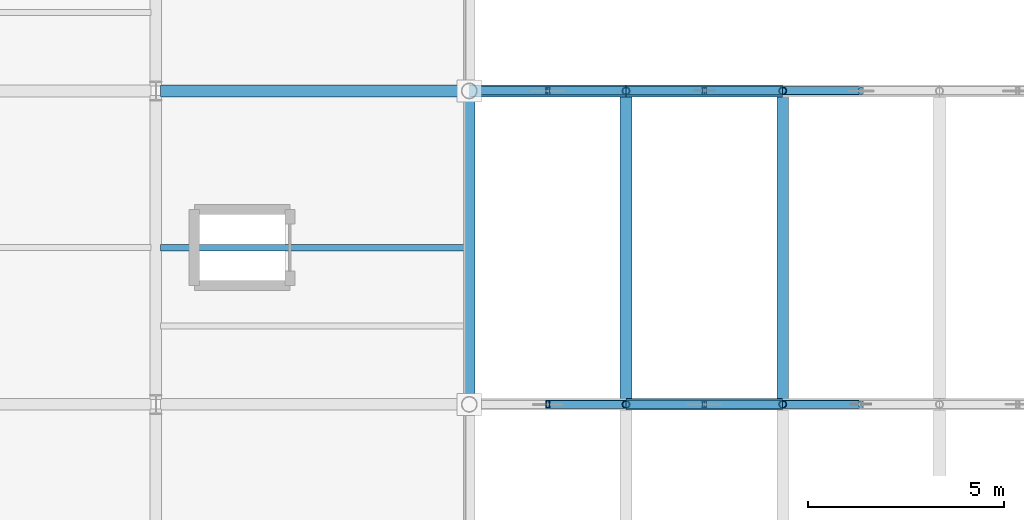
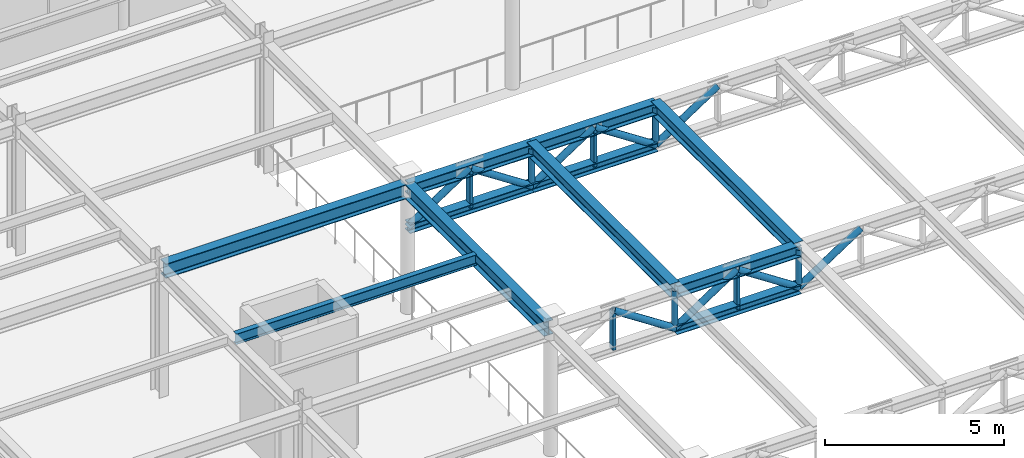
# One storey, part 15 of 46: 23 members, 5 beams.
"""IFC4 building model written with IfcOpenShell, lengths in metres."""

from ifc_helpers import new_model, si_unit, direction, frame, origin, origin_2d, place, context, subcontext, project, spatial, hollow_rectangle, hollow_circle, i_section, extrude, material, material_profile, profile_set, type_object, element, save


model = new_model("IFC4")

# Units and contexts
model_context = context("Model", 3, precision=1e-05, world=origin(), true_north=direction((0.0, 1.0)))
body_context = subcontext(model_context, "Body", "Model", "MODEL_VIEW")
ifc_project = project(units=[si_unit("LENGTHUNIT", "METRE"), si_unit("AREAUNIT", "SQUARE_METRE"), si_unit("VOLUMEUNIT", "CUBIC_METRE"), si_unit("PLANEANGLEUNIT", "RADIAN"), si_unit("MASSUNIT", "GRAM", prefix="KILO")], contexts=[model_context])

# Site, building, storey
site_placement = place(None, origin())
site = spatial("IfcSite", under=ifc_project, at=site_placement, CompositionType="ELEMENT")
building_placement = place(site_placement, origin())
building = spatial("IfcBuilding", under=site, at=building_placement, Name="Tazarka Park Arena", CompositionType="ELEMENT")
storey_placement = place(building_placement, frame((0.0, 0.0, 10.199951171875)))
storey = spatial("IfcBuildingStorey", under=building, at=storey_placement, Name="L02", CompositionType="ELEMENT", Elevation=10.199951171875)

# Beams
ifc_material_1 = material(Name="Steel S355", Category="steel")
ifc_material_profile_1 = material_profile(ifc_material_1, i_section(OverallWidth=0.300048828125, OverallDepth=0.489990234375, WebThickness=0.011962890625, FlangeThickness=0.02294921875, FilletRadius=0.027099609375, at=origin_2d()), Name="Steel S355")
ifc_profile_set_1 = profile_set([ifc_material_profile_1], Name="Steel S355")
beam_type_1 = type_object("IfcBeamType", Name="BM-B-06", PredefinedType="BEAM", material=ifc_profile_set_1)
beam_1_placement = place(storey_placement, frame((144.1201171875, 88.0, 4.175048828125), z_axis=(1.0, 0.0, 0.0), x_axis=(0.0, 1.0, 0.0)))
element("IfcBeam", 1, at=beam_1_placement, inside=storey, type_object=beam_type_1, Name="GXM-L02-18-11", PredefinedType="BEAM", context=body_context, shape_type="SweptSolid", body=[
    extrude(i_section(OverallWidth=0.300048828125, OverallDepth=0.489990234375, WebThickness=0.011962890625, FlangeThickness=0.02294921875, FilletRadius=0.027099609375, at=origin_2d()), origin(), (0.0, 0.0, 1.0), 7.759765625),
])
ifc_material_2 = material(Name="Steel S355", Category="steel")
ifc_material_profile_2 = material_profile(ifc_material_2, i_section(OverallWidth=0.300048828125, OverallDepth=0.43994140625, WebThickness=0.011474609375, FlangeThickness=0.02099609375, FilletRadius=0.027099609375, at=origin_2d()), Name="Steel S355")
ifc_profile_set_2 = profile_set([ifc_material_profile_2], Name="Steel S355")
beam_type_2 = type_object("IfcBeamType", Name="BM-B-16", PredefinedType="BEAM", material=ifc_profile_set_2)
for number, where, z_axis, x_axis, name in (
    (2, (156.0, 80.0, 4.16015625), (0.0, 1.0, 0.0), (-1.0, 0.0, 0.0), "WTPR-2-1"),
    (3, (160.0, 80.0, 4.16015625), (0.0, 1.0, 0.0), (-1.0, 0.0, 0.0), "WTPR-2-2"),
):
    element("IfcBeam", number, at=place(storey_placement, frame(where, z_axis=z_axis, x_axis=x_axis)), inside=storey, type_object=beam_type_2, Name=name, PredefinedType="BEAM", context=body_context, shape_type="SweptSolid", body=[
        extrude(i_section(OverallWidth=0.300048828125, OverallDepth=0.43994140625, WebThickness=0.011474609375, FlangeThickness=0.02099609375, FilletRadius=0.027099609375, at=origin_2d()), origin(), (0.0, 0.0, 1.0), 8.0),
    ])
ifc_material_3 = material(Name="Steel S355", Category="steel")
ifc_material_profile_3 = material_profile(ifc_material_3, i_section(OverallWidth=0.169921875, OverallDepth=0.360107421875, WebThickness=0.008056640625, FlangeThickness=0.0126953125, FilletRadius=0.01806640625, at=origin_2d()), Name="Steel S355")
ifc_profile_set_3 = profile_set([ifc_material_profile_3], Name="Steel S355")
beam_type_3 = type_object("IfcBeamType", Name="BM-J-02", PredefinedType="JOIST", material=ifc_profile_set_3)
beam_2_placement = place(storey_placement, frame((144.1201171875, 84.0, 4.239990234375), z_axis=(1.0, 0.0, 0.0), x_axis=(0.0, 1.0, 0.0)))
element("IfcBeam", 4, at=beam_2_placement, inside=storey, type_object=beam_type_3, Name="JST-L02-18-10", PredefinedType="JOIST", context=body_context, shape_type="SweptSolid", body=[
    extrude(i_section(OverallWidth=0.169921875, OverallDepth=0.360107421875, WebThickness=0.008056640625, FlangeThickness=0.0126953125, FilletRadius=0.01806640625, at=origin_2d()), origin(), (0.0, 0.0, 1.0), 7.759765625),
])
ifc_material_4 = material(Name="Steel S355", Category="steel")
ifc_material_profile_4 = material_profile(ifc_material_4, i_section(OverallWidth=0.300048828125, OverallDepth=0.489990234375, WebThickness=0.011962890625, FlangeThickness=0.02294921875, FilletRadius=0.027099609375, at=origin_2d()), Name="Steel S355")
ifc_profile_set_4 = profile_set([ifc_material_profile_4], Name="Steel S355")
beam_type_4 = type_object("IfcBeamType", Name="BM-SP-02", PredefinedType="SPANDREL", material=ifc_profile_set_4)
beam_3_placement = place(storey_placement, frame((152.0, 80.1201171875, 4.175048828125), z_axis=(0.0, 1.0, 0.0), x_axis=(-1.0, 0.0, 0.0)))
element("IfcBeam", 5, at=beam_3_placement, inside=storey, type_object=beam_type_4, Name="GYM-L02-19-10", PredefinedType="SPANDREL", context=body_context, shape_type="SweptSolid", body=[
    extrude(i_section(OverallWidth=0.300048828125, OverallDepth=0.489990234375, WebThickness=0.011962890625, FlangeThickness=0.02294921875, FilletRadius=0.027099609375, at=origin_2d()), origin(), (0.0, 0.0, 1.0), 7.759765625),
])

# Members
ifc_material_5 = material(Name="Steel S355", Category="steel")
ifc_material_profile_5 = material_profile(ifc_material_5, hollow_circle(Radius=0.109619140625, WallThickness=0.010009765625, at=origin_2d()), Name="Steel S355")
ifc_profile_set_5 = profile_set([ifc_material_profile_5], Name="Steel S355")
member_type_1 = type_object("IfcMemberType", Name="MEM-BR-02", PredefinedType="BRACE", material=ifc_profile_set_5)
for number, where, z_axis, x_axis, name in (
    (6, (154.0, 80.0, 4.16015625), (0.836516005166, 0.0, -0.547942490688), (0.0, 1.0, 0.0), "WTD-B-2-0"),
    (7, (156.0, 80.0, 2.85009765625), (0.836516005166, 0.0, 0.547942490688), (0.0, 1.0, 0.0), "WTD-A-2-1"),
    (8, (158.0, 80.0, 4.16015625), (0.836516005166, 0.0, -0.547942490688), (0.0, 1.0, 0.0), "WTD-B-2-1"),
    (9, (160.0, 80.0, 2.85009765625), (0.836516005166, 0.0, 0.547942490688), (0.0, 1.0, 0.0), "WTD-A-2-2"),
    (10, (152.0, 88.0, 2.85009765625), (0.836516005166, 0.0, 0.547942490688), (0.0, 1.0, 0.0), "WTD-A-3-0"),
    (11, (154.0, 88.0, 4.16015625), (0.836516005166, 0.0, -0.547942490688), (0.0, 1.0, 0.0), "WTD-B-3-0"),
    (12, (156.0, 88.0, 2.85009765625), (0.836516005166, 0.0, 0.547942490688), (0.0, 1.0, 0.0), "WTD-A-3-1"),
    (13, (158.0, 88.0, 4.16015625), (0.836516005166, 0.0, -0.547942490688), (0.0, 1.0, 0.0), "WTD-B-3-1"),
    (14, (160.0, 88.0, 2.85009765625), (0.836516005166, 0.0, 0.547942490688), (0.0, 1.0, 0.0), "WTD-A-3-2"),
):
    element("IfcMember", number, at=place(storey_placement, frame(where, z_axis=z_axis, x_axis=x_axis)), inside=storey, type_object=member_type_1, Name=name, PredefinedType="BRACE", context=body_context, shape_type="SweptSolid", body=[
        extrude(hollow_circle(Radius=0.109619140625, WallThickness=0.010009765625, at=origin_2d()), origin(), (0.0, 0.0, 1.0), 2.390869140625),
    ])
ifc_material_6 = material(Name="Steel S355", Category="steel")
ifc_material_profile_6 = material_profile(ifc_material_6, i_section(OverallWidth=0.300048828125, OverallDepth=0.300048828125, WebThickness=0.010986328125, FlangeThickness=0.01904296875, FilletRadius=0.027099609375, at=origin_2d()), Name="Steel S355")
ifc_profile_set_6 = profile_set([ifc_material_profile_6], Name="Steel S355")
member_type_2 = type_object("IfcMemberType", Name="MEM-CH-01", PredefinedType="CHORD", material=ifc_profile_set_6)
for number, where, z_axis, x_axis, name in (
    (15, (156.0, 80.0, 2.85009765625), (1.0, 0.0, 0.0), (0.0, 1.0, 0.0), "WTC-B-2-1"),
    (16, (152.0, 88.0, 2.85009765625), (1.0, 0.0, 0.0), (0.0, 1.0, 0.0), "WTC-B-3-0"),
    (17, (156.0, 88.0, 2.85009765625), (1.0, 0.0, 0.0), (0.0, 1.0, 0.0), "WTC-B-3-1"),
):
    element("IfcMember", number, at=place(storey_placement, frame(where, z_axis=z_axis, x_axis=x_axis)), inside=storey, type_object=member_type_2, Name=name, PredefinedType="CHORD", context=body_context, shape_type="SweptSolid", body=[
        extrude(i_section(OverallWidth=0.300048828125, OverallDepth=0.300048828125, WebThickness=0.010986328125, FlangeThickness=0.01904296875, FilletRadius=0.027099609375, at=origin_2d()), origin(), (0.0, 0.0, 1.0), 4.0),
    ])
ifc_material_7 = material(Name="Steel S355", Category="steel")
ifc_material_profile_7 = material_profile(ifc_material_7, i_section(OverallWidth=0.300048828125, OverallDepth=0.39990234375, WebThickness=0.013427734375, FlangeThickness=0.02392578125, FilletRadius=0.027099609375, at=origin_2d()), Name="Steel S355")
ifc_profile_set_7 = profile_set([ifc_material_profile_7], Name="Steel S355")
member_type_3 = type_object("IfcMemberType", Name="MEM-CH-02", PredefinedType="CHORD", material=ifc_profile_set_7)
for number, where, z_axis, x_axis, name in (
    (18, (156.0, 80.0, 4.16015625), (1.0, 0.0, 0.0), (0.0, 1.0, 0.0), "WTC-T-2-1"),
    (19, (152.0, 88.0, 4.16015625), (1.0, 0.0, 0.0), (0.0, 1.0, 0.0), "WTC-T-3-0"),
    (20, (156.0, 88.0, 4.16015625), (1.0, 0.0, 0.0), (0.0, 1.0, 0.0), "WTC-T-3-1"),
):
    element("IfcMember", number, at=place(storey_placement, frame(where, z_axis=z_axis, x_axis=x_axis)), inside=storey, type_object=member_type_3, Name=name, PredefinedType="CHORD", context=body_context, shape_type="SweptSolid", body=[
        extrude(i_section(OverallWidth=0.300048828125, OverallDepth=0.39990234375, WebThickness=0.013427734375, FlangeThickness=0.02392578125, FilletRadius=0.027099609375, at=origin_2d()), origin(), (0.0, 0.0, 1.0), 4.0),
    ])
ifc_material_8 = material(Name="Steel S355", Category="steel")
ifc_material_profile_8 = material_profile(ifc_material_8, hollow_rectangle(XDim=0.10009765625, YDim=0.199951171875, WallThickness=0.008056640625, at=origin_2d()), Name="Steel S355")
ifc_profile_set_8 = profile_set([ifc_material_profile_8], Name="Steel S355")
member_type_4 = type_object("IfcMemberType", Name="MEM-PT-01", PredefinedType="POST", material=ifc_profile_set_8)
for number, where, z_axis, x_axis, name in (
    (21, (154.0, 80.0, 2.85009765625), (0.0, 0.0, 1.0), (1.0, 0.0, 0.0), "WTP-2-0"),
    (22, (158.0, 80.0, 2.85009765625), (0.0, 0.0, 1.0), (1.0, 0.0, 0.0), "WTP-2-1"),
    (23, (154.0, 88.0, 2.85009765625), (0.0, 0.0, 1.0), (1.0, 0.0, 0.0), "WTP-3-0"),
    (24, (158.0, 88.0, 2.85009765625), (0.0, 0.0, 1.0), (1.0, 0.0, 0.0), "WTP-3-1"),
):
    element("IfcMember", number, at=place(storey_placement, frame(where, z_axis=z_axis, x_axis=x_axis)), inside=storey, type_object=member_type_4, Name=name, PredefinedType="POST", context=body_context, shape_type="SweptSolid", body=[
        extrude(hollow_rectangle(XDim=0.10009765625, YDim=0.199951171875, WallThickness=0.008056640625, at=origin_2d()), origin(), (0.0, 0.0, 1.0), 1.31005859375),
    ])
ifc_material_9 = material(Name="Steel S355", Category="steel")
ifc_material_profile_9 = material_profile(ifc_material_9, hollow_circle(Radius=0.096923828125, WallThickness=0.010009765625, at=origin_2d()), Name="Steel S355")
ifc_profile_set_9 = profile_set([ifc_material_profile_9], Name="Steel S355")
member_type_5 = type_object("IfcMemberType", Name="MEM-PT-03", PredefinedType="POST", material=ifc_profile_set_9)
for number, where, z_axis, x_axis, name in (
    (25, (156.0, 80.0, 2.85009765625), (0.0, 0.0, 1.0), (1.0, 0.0, 0.0), "WTPN-2-1"),
    (26, (160.0, 80.0, 2.85009765625), (0.0, 0.0, 1.0), (1.0, 0.0, 0.0), "WTPN-2-2"),
    (27, (156.0, 88.0, 2.85009765625), (0.0, 0.0, 1.0), (1.0, 0.0, 0.0), "WTPN-3-1"),
    (28, (160.0, 88.0, 2.85009765625), (0.0, 0.0, 1.0), (1.0, 0.0, 0.0), "WTPN-3-2"),
):
    element("IfcMember", number, at=place(storey_placement, frame(where, z_axis=z_axis, x_axis=x_axis)), inside=storey, type_object=member_type_5, Name=name, PredefinedType="POST", context=body_context, shape_type="SweptSolid", body=[
        extrude(hollow_circle(Radius=0.096923828125, WallThickness=0.010009765625, at=origin_2d()), origin(), (0.0, 0.0, 1.0), 1.31005859375),
    ])

save(model, "model.ifc")
